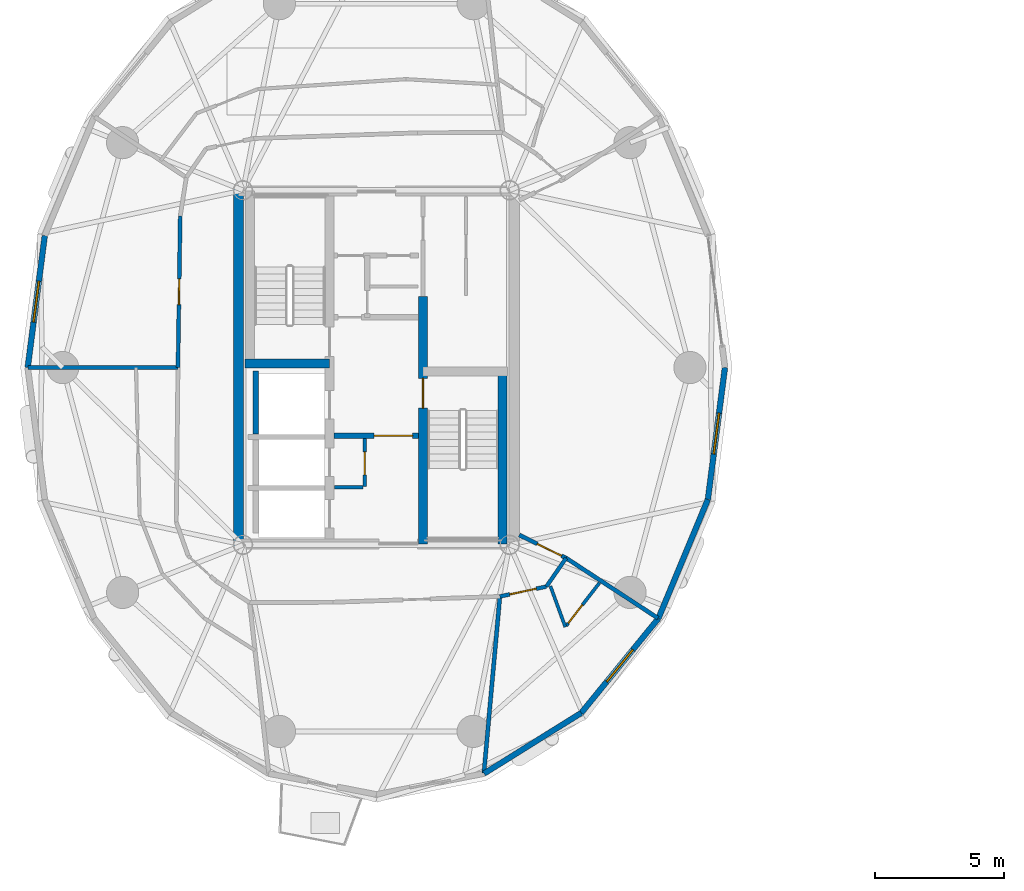
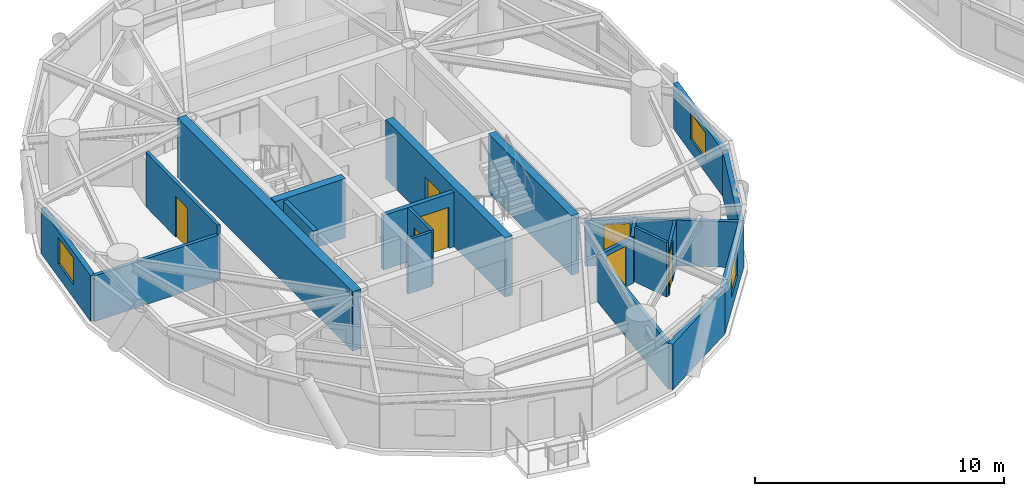
# One storey, part 8 of 16: 22 walls, 7 doors, 3 windows, 10 openings.
"""IFC4 building model written with IfcOpenShell, lengths in metres."""

from ifc_helpers import new_model, si_unit, direction, frame, frame_2d, origin, place, context, subcontext, project, spatial, rectangle, extrude, source, transform, mapped, material, layer, layer_set, type_object, element, fill, save


model = new_model("IFC4")

# Units and contexts
model_context = context("Model", 3, precision=1e-05, world=origin(), true_north=direction((0.0, 1.0)))
body_context = subcontext(model_context, "Body", "Model", "MODEL_VIEW")
ifc_project = project(units=[si_unit("LENGTHUNIT", "METRE"), si_unit("AREAUNIT", "SQUARE_METRE"), si_unit("VOLUMEUNIT", "CUBIC_METRE"), si_unit("PLANEANGLEUNIT", "RADIAN"), si_unit("MASSUNIT", "GRAM", prefix="KILO")], contexts=[model_context])

# Site, building, storey
site_placement = place(None, origin())
site = spatial("IfcSite", under=ifc_project, at=site_placement, CompositionType="ELEMENT")
building_placement = place(site_placement, origin())
building = spatial("IfcBuilding", under=site, at=building_placement, Name="Cununo Teusaquillo Station Towers", CompositionType="ELEMENT")
storey_placement = place(building_placement, frame((0.0, 0.0, 171.969970703125)))
storey = spatial("IfcBuildingStorey", under=building, at=storey_placement, Name="L54", CompositionType="ELEMENT", Elevation=171.969970703125)

# Wall
ifc_material_1 = material(Name="Concrete C50/60", Category="concrete")
ifc_layer_1 = layer(ifc_material_1, 0.199951171875)
ifc_layer_set_1 = layer_set([ifc_layer_1], Name="Concrete C50/60")
wall_type_1 = type_object("IfcWallType", Name="WL-CORE-200", PredefinedType="SHEAR", material=ifc_layer_set_1)
wall_1_placement = place(storey_placement, frame((11.820068359375, 21.919921875, 0.0), z_axis=(0.0, 0.0, 1.0), x_axis=(0.0, 1.0, 0.0)))
element("IfcWall", 1, at=wall_1_placement, inside=storey, type_object=wall_type_1, Name="L54 Tower A Firefighting Lift Shaft Rear Shear Wall", PredefinedType="SHEAR", context=body_context, shape_type="SweptSolid", body=[
    extrude(rectangle(XDim=2.440185546875, YDim=0.199951171875, at=frame_2d((1.22021484375, 0.0))), origin(), (0.0, 0.0, 1.0), 2.909912109375),
])

# Wall, opening, door
ifc_material_2 = material(Name="Concrete C50/60", Category="concrete")
ifc_layer_2 = layer(ifc_material_2, 0.35009765625)
ifc_layer_set_2 = layer_set([ifc_layer_2], Name="Concrete C50/60")
wall_type_2 = type_object("IfcWallType", Name="WL-CORE-350", PredefinedType="SHEAR", material=ifc_layer_set_2)
wall_2_placement = place(storey_placement, frame((18.31494140625, 17.64990234375, 0.0), z_axis=(0.0, 0.0, 1.0), x_axis=(0.0, 1.0, 0.0)))
wall_2 = element("IfcWall", 2, at=wall_2_placement, inside=storey, type_object=wall_type_2, Name="L54 Tower A Core Shear Wall IE", PredefinedType="SHEAR", context=body_context, shape_type="SweptSolid", body=[
    extrude(rectangle(XDim=9.60009765625, YDim=0.35009765625, at=frame_2d((4.800048828125, 0.0))), origin(), (0.0, 0.0, 1.0), 2.909912109375),
])
shared_shape_1 = source(origin(), body_context, "Body", "SweptSolid", [
    extrude(rectangle(XDim=1.14990234375, YDim=2.02001953125, at=frame_2d((0.574951171875, 1.010009765625))), frame((0.0, 0.18505859375, 0.0), z_axis=(0.0, -1.0, 0.0), x_axis=(1.0, 0.0, 0.0)), (0.0, 0.0, 1.0), 0.3701171875),
])
opening_1_placement = place(wall_2_placement, frame((5.280029296875, 0.0, 0.0)))
opening_1 = element("IfcOpeningElement", 3, at=opening_1_placement, cuts=wall_2, Name="Opening D-ST1", PredefinedType="OPENING", context=body_context, shape_type="MappedRepresentation", body=[
    mapped(shared_shape_1, transform((0.0, 0.0, 0.0), x_axis=(1.0, 0.0, 0.0), y_axis=(0.0, 1.0, 0.0), z_axis=(0.0, 0.0, 1.0), scale=1.0)),
])
ifc_material_3 = material(Name="Galvanised fire-rated hollow steel door assembly", Category="steel")
door_type_1 = type_object("IfcDoorType", Name="DR-STAIR-1150", OperationType="NOTDEFINED", PredefinedType="DOOR", material=ifc_material_3)
shared_shape_2 = source(origin(), body_context, "Body", "SweptSolid", [
    extrude(rectangle(XDim=1.14990234375, YDim=2.02001953125, at=frame_2d((0.574951171875, 1.010009765625))), frame((0.0, 0.02490234375, 0.0), z_axis=(0.0, -1.0, 0.0), x_axis=(1.0, 0.0, 0.0)), (0.0, 0.0, 1.0), 0.050048828125),
])
door_1_placement = place(opening_1_placement, origin())
door_1 = element("IfcDoor", 4, at=door_1_placement, inside=storey, type_object=door_type_1, Name="L54 Tower A Exit Stair 2 Fire Door", OperationType="SINGLE_SWING_LEFT", OverallHeight=2.02001953125, OverallWidth=1.14990234375, PredefinedType="DOOR", context=body_context, shape_type="MappedRepresentation", body=[
    mapped(shared_shape_2, transform((0.0, 0.0, 0.0), x_axis=(1.0, 0.0, 0.0), y_axis=(0.0, 1.0, 0.0), z_axis=(0.0, 0.0, 1.0), scale=1.0)),
])
fill(opening_1, door_1)

# Walls
wall_3_placement = place(storey_placement, frame((11.39990234375, 24.655029296875, 0.0), z_axis=(0.0, 0.0, 1.0), x_axis=(1.0, 0.0, 0.0)))
element("IfcWall", 5, at=wall_3_placement, inside=storey, type_object=wall_type_2, Name="L54 Tower A Core Shear Wall ST1S", PredefinedType="SHEAR", context=body_context, shape_type="SweptSolid", body=[
    extrude(rectangle(XDim=3.28515625, YDim=0.35009765625, at=frame_2d((1.642578125, 0.0))), origin(), (0.0, 0.0, 1.0), 2.909912109375),
])
wall_4_placement = place(storey_placement, frame((21.405029296875, 17.64990234375, 0.0), z_axis=(0.0, 0.0, 1.0), x_axis=(0.0, 1.0, 0.0)))
element("IfcWall", 6, at=wall_4_placement, inside=storey, type_object=wall_type_2, Name="L54 Tower A Core Shear Wall ST2E", PredefinedType="SHEAR", context=body_context, shape_type="SweptSolid", body=[
    extrude(rectangle(XDim=6.695068359375, YDim=0.35009765625, at=frame_2d((3.34765625, 0.0))), origin(), (0.0, 0.0, 1.0), 2.909912109375),
])
ifc_material_4 = material(Name="Concrete C50/60", Category="concrete")
ifc_layer_3 = layer(ifc_material_4, 0.39990234375)
ifc_layer_set_3 = layer_set([ifc_layer_3], Name="Concrete C50/60")
wall_type_3 = type_object("IfcWallType", Name="WL-CORE-400", PredefinedType="SHEAR", material=ifc_layer_set_3)
wall_5_placement = place(storey_placement, frame((11.14990234375, 17.449951171875, 0.0), z_axis=(0.0, 0.0, 1.0), x_axis=(0.0, 1.0, 0.0)))
element("IfcWall", 7, at=wall_5_placement, inside=storey, type_object=wall_type_3, Name="L54 Tower A Core Shear Wall W", PredefinedType="SHEAR", context=body_context, shape_type="SweptSolid", body=[
    extrude(rectangle(XDim=14.10009765625, YDim=0.39990234375, at=frame_2d((7.050048828125, 0.0))), origin(), (0.0, 0.0, 1.0), 2.909912109375),
])

# Wall, opening, window
ifc_material_5 = material(Name="Precast concrete C40/50", Category="concrete")
ifc_layer_4 = layer(ifc_material_5, 0.219970703125)
ifc_layer_set_4 = layer_set([ifc_layer_4], Name="Precast concrete C40/50")
wall_type_4 = type_object("IfcWallType", Name="WL-EXT-220", PredefinedType="SOLIDWALL", material=ifc_layer_set_4)
wall_6_placement = place(storey_placement, frame((2.968994140625, 24.5, 0.0), z_axis=(0.0, 0.0, 1.0), x_axis=(0.128287912609, 0.991736966881, 0.0)))
wall_6 = element("IfcWall", 8, at=wall_6_placement, inside=storey, type_object=wall_type_4, Name="L54 Tower A Exterior Facade Wall C09", PredefinedType="SOLIDWALL", context=body_context, shape_type="SweptSolid", body=[
    extrude(rectangle(XDim=5.1630859375, YDim=0.219970703125, at=frame_2d((2.58154296875, 0.0))), origin(), (0.0, 0.0, 1.0), 2.2451171875),
])
shared_shape_3 = source(origin(), body_context, "Body", "SweptSolid", [
    extrude(rectangle(XDim=1.60009765625, YDim=1.300048828125, at=frame_2d((0.800048828125, 0.64990234375))), frame((0.0, 0.119873046875, 0.0), z_axis=(0.0, -1.0, 0.0), x_axis=(1.0, 0.0, 0.0)), (0.0, 0.0, 1.0), 0.239990234375),
])
opening_2_placement = place(wall_6_placement, frame((1.781982421875, 0.0, 0.64990234375)))
opening_2 = element("IfcOpeningElement", 9, at=opening_2_placement, cuts=wall_6, Name="Opening WN-03", PredefinedType="OPENING", context=body_context, shape_type="MappedRepresentation", body=[
    mapped(shared_shape_3, transform((0.0, 0.0, 0.0), x_axis=(1.0, 0.0, 0.0), y_axis=(0.0, 1.0, 0.0), z_axis=(0.0, 0.0, 1.0), scale=1.0)),
])
ifc_material_6 = material(Name="Ceramic-fritted dark low-E double glazing", Category="glass")
window_type = type_object("IfcWindowType", Name="WIN-CORN-1600", PartitioningType="SINGLE_PANEL", PredefinedType="WINDOW", material=ifc_material_6)
shared_shape_4 = source(origin(), body_context, "Body", "SweptSolid", [
    extrude(rectangle(XDim=1.60009765625, YDim=1.300048828125, at=frame_2d((0.800048828125, 0.64990234375))), frame((0.0, 0.030029296875, 0.0), z_axis=(0.0, -1.0, 0.0), x_axis=(1.0, 0.0, 0.0)), (0.0, 0.0, 1.0), 0.06005859375),
])
window_1_placement = place(opening_2_placement, origin())
window_1 = element("IfcWindow", 10, at=window_1_placement, inside=storey, type_object=window_type, Name="L54 Tower A Facade Window C09", OverallHeight=1.300048828125, OverallWidth=1.60009765625, PartitioningType="SINGLE_PANEL", PredefinedType="WINDOW", context=body_context, shape_type="MappedRepresentation", body=[
    mapped(shared_shape_4, transform((0.0, 0.0, 0.0), x_axis=(1.0, 0.0, 0.0), y_axis=(0.0, 1.0, 0.0), z_axis=(0.0, 0.0, 1.0), scale=1.0)),
])
fill(opening_2, window_1)

# Wall
wall_7_placement = place(storey_placement, frame((24.453369140625, 11.094482421875, 0.0), z_axis=(0.0, 0.0, 1.0), x_axis=(-0.848399108042, -0.529357113368, 0.0)))
element("IfcWall", 11, at=wall_7_placement, inside=storey, type_object=wall_type_4, Name="L54 Tower A Exterior Facade Wall C16", PredefinedType="SOLIDWALL", context=body_context, shape_type="SweptSolid", body=[
    extrude(rectangle(XDim=4.446044921875, YDim=0.219970703125, at=frame_2d((2.22314453125, 0.0))), origin(), (0.0, 0.0, 1.0), 2.2451171875),
])

# Wall, opening, window
wall_8_placement = place(storey_placement, frame((27.44677734375, 14.760498046875, 0.0), z_axis=(0.0, 0.0, 1.0), x_axis=(-0.632470615287, -0.774584353572, 0.0)))
wall_8 = element("IfcWall", 12, at=wall_8_placement, inside=storey, type_object=wall_type_4, Name="L54 Tower A Exterior Facade Wall C17", PredefinedType="SOLIDWALL", context=body_context, shape_type="SweptSolid", body=[
    extrude(rectangle(XDim=4.73291015625, YDim=0.219970703125, at=frame_2d((2.366455078125, 0.0))), origin(), (0.0, 0.0, 1.0), 2.2451171875),
])
opening_3_placement = place(wall_8_placement, frame((1.56591796875, 0.0, 0.64990234375)))
opening_3 = element("IfcOpeningElement", 13, at=opening_3_placement, cuts=wall_8, Name="Opening WN-03", PredefinedType="OPENING", context=body_context, shape_type="MappedRepresentation", body=[
    mapped(shared_shape_3, transform((0.0, 0.0, 0.0), x_axis=(1.0, 0.0, 0.0), y_axis=(0.0, 1.0, 0.0), z_axis=(0.0, 0.0, 1.0), scale=1.0)),
])
window_2_placement = place(opening_3_placement, origin())
window_2 = element("IfcWindow", 14, at=window_2_placement, inside=storey, type_object=window_type, Name="L54 Tower A Facade Window C17", OverallHeight=1.300048828125, OverallWidth=1.60009765625, PartitioningType="SINGLE_PANEL", PredefinedType="WINDOW", context=body_context, shape_type="MappedRepresentation", body=[
    mapped(shared_shape_4, transform((0.0, 0.0, 0.0), x_axis=(1.0, 0.0, 0.0), y_axis=(0.0, 1.0, 0.0), z_axis=(0.0, 0.0, 1.0), scale=1.0)),
])
fill(opening_3, window_2)

# Wall
wall_9_placement = place(storey_placement, frame((29.36865234375, 19.379638671875, 0.0), z_axis=(0.0, 0.0, 1.0), x_axis=(-0.384144094086, -0.923273152961, 0.0)))
element("IfcWall", 15, at=wall_9_placement, inside=storey, type_object=wall_type_4, Name="L54 Tower A Exterior Facade Wall C18", PredefinedType="SOLIDWALL", context=body_context, shape_type="SweptSolid", body=[
    extrude(rectangle(XDim=5.0029296875, YDim=0.219970703125, at=frame_2d((2.50146484375, 0.0))), origin(), (0.0, 0.0, 1.0), 2.2451171875),
])

# Wall, opening, window
wall_10_placement = place(storey_placement, frame((30.031005859375, 24.5, 0.0), z_axis=(0.0, 0.0, 1.0), x_axis=(-0.128287912609, -0.991736966881, 0.0)))
wall_10 = element("IfcWall", 16, at=wall_10_placement, inside=storey, type_object=wall_type_4, Name="L54 Tower A Exterior Facade Wall C19", PredefinedType="SOLIDWALL", context=body_context, shape_type="SweptSolid", body=[
    extrude(rectangle(XDim=5.1630859375, YDim=0.219970703125, at=frame_2d((2.58154296875, 0.0))), origin(), (0.0, 0.0, 1.0), 2.2451171875),
])
opening_4_placement = place(wall_10_placement, frame((1.781982421875, 0.0, 0.64990234375)))
opening_4 = element("IfcOpeningElement", 17, at=opening_4_placement, cuts=wall_10, Name="Opening WN-03", PredefinedType="OPENING", context=body_context, shape_type="MappedRepresentation", body=[
    mapped(shared_shape_3, transform((0.0, 0.0, 0.0), x_axis=(1.0, 0.0, 0.0), y_axis=(0.0, 1.0, 0.0), z_axis=(0.0, 0.0, 1.0), scale=1.0)),
])
window_3_placement = place(opening_4_placement, origin())
window_3 = element("IfcWindow", 18, at=window_3_placement, inside=storey, type_object=window_type, Name="L54 Tower A Facade Window C19", OverallHeight=1.300048828125, OverallWidth=1.60009765625, PartitioningType="SINGLE_PANEL", PredefinedType="WINDOW", context=body_context, shape_type="MappedRepresentation", body=[
    mapped(shared_shape_4, transform((0.0, 0.0, 0.0), x_axis=(1.0, 0.0, 0.0), y_axis=(0.0, 1.0, 0.0), z_axis=(0.0, 0.0, 1.0), scale=1.0)),
])
fill(opening_4, window_3)

# Wall, opening, door
ifc_material_7 = material(Name="Fire-rated gypsum plasterboard partition assembly", Category="gypsum")
ifc_layer_5 = layer(ifc_material_7, 0.125)
ifc_layer_set_5 = layer_set([ifc_layer_5], Name="Fire-rated gypsum plasterboard partition assembly")
wall_type_5 = type_object("IfcWallType", Name="WL-PART-125", PredefinedType="PARTITIONING", material=ifc_layer_set_5)
wall_11_placement = place(storey_placement, frame((16.050048828125, 19.8798828125, 0.0), z_axis=(0.0, 0.0, 1.0), x_axis=(0.0, 1.0, 0.0)))
wall_11 = element("IfcWall", 19, at=wall_11_placement, inside=storey, type_object=wall_type_5, Name="L54 Tower A North-West Lobby Store East Wall", PredefinedType="PARTITIONING", context=body_context, shape_type="SweptSolid", body=[
    extrude(rectangle(XDim=1.8701171875, YDim=0.125, at=frame_2d((0.93505859375, 0.0))), origin(), (0.0, 0.0, 1.0), 2.675048828125),
])
shared_shape_5 = source(origin(), body_context, "Body", "SweptSolid", [
    extrude(rectangle(XDim=0.89990234375, YDim=2.0048828125, at=frame_2d((0.449951171875, 1.00244140625))), frame((0.0, 0.072509765625, 0.0), z_axis=(0.0, -1.0, 0.0), x_axis=(1.0, 0.0, 0.0)), (0.0, 0.0, 1.0), 0.14501953125),
])
opening_5_placement = place(wall_11_placement, frame((0.449951171875, 0.0, 0.0)))
opening_5 = element("IfcOpeningElement", 20, at=opening_5_placement, cuts=wall_11, Name="Opening D-SR1", PredefinedType="OPENING", context=body_context, shape_type="MappedRepresentation", body=[
    mapped(shared_shape_5, transform((0.0, 0.0, 0.0), x_axis=(1.0, 0.0, 0.0), y_axis=(0.0, 1.0, 0.0), z_axis=(0.0, 0.0, 1.0), scale=1.0)),
])
ifc_material_8 = material(Name="Galvanised fire-rated hollow steel door assembly", Category="steel")
door_type_2 = type_object("IfcDoorType", Name="DR-STORE-900", OperationType="NOTDEFINED", PredefinedType="DOOR", material=ifc_material_8)
shared_shape_6 = source(origin(), body_context, "Body", "SweptSolid", [
    extrude(rectangle(XDim=0.89990234375, YDim=2.0048828125, at=frame_2d((0.449951171875, 1.00244140625))), frame((0.0, 0.02490234375, 0.0), z_axis=(0.0, -1.0, 0.0), x_axis=(1.0, 0.0, 0.0)), (0.0, 0.0, 1.0), 0.050048828125),
])
door_2_placement = place(opening_5_placement, origin())
door_2 = element("IfcDoor", 21, at=door_2_placement, inside=storey, type_object=door_type_2, Name="L54 Tower A South Lobby Data Store Door", OperationType="SINGLE_SWING_RIGHT", OverallHeight=2.0048828125, OverallWidth=0.89990234375, PredefinedType="DOOR", context=body_context, shape_type="MappedRepresentation", body=[
    mapped(shared_shape_6, transform((0.0, 0.0, 0.0), x_axis=(1.0, 0.0, 0.0), y_axis=(0.0, 1.0, 0.0), z_axis=(0.0, 0.0, 1.0), scale=1.0)),
])
fill(opening_5, door_2)

# Walls
wall_12_placement = place(storey_placement, frame((14.8798828125, 19.85009765625, 0.0), z_axis=(0.0, 0.0, 1.0), x_axis=(1.0, 0.0, 0.0)))
element("IfcWall", 22, at=wall_12_placement, inside=storey, type_object=wall_type_5, Name="L54 Tower A North-West Lobby Store South Wall", PredefinedType="PARTITIONING", context=body_context, shape_type="SweptSolid", body=[
    extrude(rectangle(XDim=1.10009765625, YDim=0.125, at=frame_2d((0.550048828125, 0.0))), origin(), (0.0, 0.0, 1.0), 2.675048828125),
])
wall_13_placement = place(storey_placement, frame((23.256103515625, 16.018310546875, 0.0), z_axis=(0.0, 0.0, 1.0), x_axis=(0.342788033774, -0.939412776101, 0.0)))
element("IfcWall", 23, at=wall_13_placement, inside=storey, type_object=wall_type_5, Name="L54 Tower A S06 En-suite Side Wall", PredefinedType="PARTITIONING", context=body_context, shape_type="SweptSolid", body=[
    extrude(rectangle(XDim=1.68798828125, YDim=0.125, at=frame_2d((0.843994140625, 0.0))), origin(), (0.0, 0.0, 1.0), 2.675048828125),
])

# Wall, opening, door
wall_14_placement = place(storey_placement, frame((23.875, 14.484375, 0.0), z_axis=(0.0, 0.0, 1.0), x_axis=(0.61297586552, 0.790101631621, 0.0)))
wall_14 = element("IfcWall", 24, at=wall_14_placement, inside=storey, type_object=wall_type_5, Name="L54 Tower A S06 En-suite Back Wall", PredefinedType="PARTITIONING", context=body_context, shape_type="SweptSolid", body=[
    extrude(rectangle(XDim=2.103271484375, YDim=0.125, at=frame_2d((1.0517578125, 0.0))), origin(), (0.0, 0.0, 1.0), 2.2451171875),
])
opening_6_placement = place(wall_14_placement, frame((0.1201171875, 0.0, 0.0)))
opening_6 = element("IfcOpeningElement", 25, at=opening_6_placement, cuts=wall_14, Name="Opening D-IN1", PredefinedType="OPENING", context=body_context, shape_type="MappedRepresentation", body=[
    mapped(shared_shape_5, transform((0.0, 0.0, 0.0), x_axis=(1.0, 0.0, 0.0), y_axis=(0.0, 1.0, 0.0), z_axis=(0.0, 0.0, 1.0), scale=1.0)),
])
ifc_material_9 = material(Name="Acoustic solid-core hardwood leaf assembly", Category="wood")
door_type_3 = type_object("IfcDoorType", Name="DR-INT-900", OperationType="NOTDEFINED", PredefinedType="DOOR", material=ifc_material_9)
door_3_placement = place(opening_6_placement, origin())
door_3 = element("IfcDoor", 26, at=door_3_placement, inside=storey, type_object=door_type_3, Name="L54 Tower A S06 En-suite Bathroom Door", OperationType="SINGLE_SWING_RIGHT", OverallHeight=2.0048828125, OverallWidth=0.89990234375, PredefinedType="DOOR", context=body_context, shape_type="MappedRepresentation", body=[
    mapped(shared_shape_6, transform((0.0, 0.0, 0.0), x_axis=(1.0, 0.0, 0.0), y_axis=(0.0, 1.0, 0.0), z_axis=(0.0, 0.0, 1.0), scale=1.0)),
])
fill(opening_6, door_3)

ifc_material_10 = material(Name="Fire-rated gypsum plasterboard partition assembly", Category="gypsum")
ifc_layer_6 = layer(ifc_material_10, 0.14990234375)
ifc_layer_set_6 = layer_set([ifc_layer_6], Name="Fire-rated gypsum plasterboard partition assembly")
wall_type_6 = type_object("IfcWallType", Name="WL-PART-150", PredefinedType="PARTITIONING", material=ifc_layer_set_6)
wall_15_placement = place(storey_placement, frame((8.888427734375, 30.38134765625, 0.0), z_axis=(0.0, 0.0, 1.0), x_axis=(-0.015025285815, -0.999887114021, 0.0)))
wall_15 = element("IfcWall", 27, at=wall_15_placement, inside=storey, type_object=wall_type_6, Name="L54 Tower A Corridor Ring Wall C09", PredefinedType="PARTITIONING", context=body_context, shape_type="SweptSolid", body=[
    extrude(rectangle(XDim=5.882080078125, YDim=0.14990234375, at=frame_2d((2.94091796875, 0.0))), origin(), (0.0, 0.0, 1.0), 2.675048828125),
])
shared_shape_7 = source(origin(), body_context, "Body", "SweptSolid", [
    extrude(rectangle(XDim=1.0, YDim=2.014892578125, at=frame_2d((0.5, 1.00732421875))), frame((0.0, 0.0849609375, 0.0), z_axis=(0.0, -1.0, 0.0), x_axis=(1.0, 0.0, 0.0)), (0.0, 0.0, 1.0), 0.169921875),
])
opening_7_placement = place(wall_15_placement, frame((2.44091796875, 0.0, 0.0)))
opening_7 = element("IfcOpeningElement", 28, at=opening_7_placement, cuts=wall_15, Name="Opening D-AC1", PredefinedType="OPENING", context=body_context, shape_type="MappedRepresentation", body=[
    mapped(shared_shape_7, transform((0.0, 0.0, 0.0), x_axis=(1.0, 0.0, 0.0), y_axis=(0.0, 1.0, 0.0), z_axis=(0.0, 0.0, 1.0), scale=1.0)),
])
ifc_material_11 = material(Name="Acoustic solid-core hardwood leaf assembly", Category="wood")
door_type_4 = type_object("IfcDoorType", Name="DR-ACC-1000", OperationType="NOTDEFINED", PredefinedType="DOOR", material=ifc_material_11)
shared_shape_8 = source(origin(), body_context, "Body", "SweptSolid", [
    extrude(rectangle(XDim=1.0, YDim=2.014892578125, at=frame_2d((0.5, 1.00732421875))), frame((0.0, 0.02490234375, 0.0), z_axis=(0.0, -1.0, 0.0), x_axis=(1.0, 0.0, 0.0)), (0.0, 0.0, 1.0), 0.050048828125),
])
door_4_placement = place(opening_7_placement, origin())
door_4 = element("IfcDoor", 29, at=door_4_placement, inside=storey, type_object=door_type_4, Name="L54 Tower A Public Accessible Restroom WC Entrance Door", OperationType="SINGLE_SWING_LEFT", OverallHeight=2.014892578125, OverallWidth=1.0, PredefinedType="DOOR", context=body_context, shape_type="MappedRepresentation", body=[
    mapped(shared_shape_8, transform((0.0, 0.0, 0.0), x_axis=(1.0, 0.0, 0.0), y_axis=(0.0, 1.0, 0.0), z_axis=(0.0, 0.0, 1.0), scale=1.0)),
])
fill(opening_7, door_4)

wall_16_placement = place(storey_placement, frame((21.29541015625, 15.614990234375, 0.0), z_axis=(0.0, 0.0, 1.0), x_axis=(0.978043957244, 0.20839869889, 0.0)))
wall_16 = element("IfcWall", 30, at=wall_16_placement, inside=storey, type_object=wall_type_6, Name="L54 Tower A Corridor Ring Wall C16", PredefinedType="PARTITIONING", context=body_context, shape_type="SweptSolid", body=[
    extrude(rectangle(XDim=1.843994140625, YDim=0.14990234375, at=frame_2d((0.921875, 0.0))), origin(), (0.0, 0.0, 1.0), 2.2451171875),
])
shared_shape_9 = source(origin(), body_context, "Body", "SweptSolid", [
    extrude(rectangle(XDim=1.050048828125, YDim=2.014892578125, at=frame_2d((0.52490234375, 1.00732421875))), frame((0.0, 0.0849609375, 0.0), z_axis=(0.0, -1.0, 0.0), x_axis=(1.0, 0.0, 0.0)), (0.0, 0.0, 1.0), 0.169921875),
])
opening_8_placement = place(wall_16_placement, frame((0.39697265625, 0.0, 0.0)))
opening_8 = element("IfcOpeningElement", 31, at=opening_8_placement, cuts=wall_16, Name="Opening D-SU1", PredefinedType="OPENING", context=body_context, shape_type="MappedRepresentation", body=[
    mapped(shared_shape_9, transform((0.0, 0.0, 0.0), x_axis=(1.0, 0.0, 0.0), y_axis=(0.0, 1.0, 0.0), z_axis=(0.0, 0.0, 1.0), scale=1.0)),
])
ifc_material_12 = material(Name="Acoustic solid-core hardwood leaf assembly", Category="wood")
door_type_5 = type_object("IfcDoorType", Name="DR-SUITE-1050", OperationType="NOTDEFINED", PredefinedType="DOOR", material=ifc_material_12)
shared_shape_10 = source(origin(), body_context, "Body", "SweptSolid", [
    extrude(rectangle(XDim=1.050048828125, YDim=2.014892578125, at=frame_2d((0.52490234375, 1.00732421875))), frame((0.0, 0.02490234375, 0.0), z_axis=(0.0, -1.0, 0.0), x_axis=(1.0, 0.0, 0.0)), (0.0, 0.0, 1.0), 0.050048828125),
])
door_5_placement = place(opening_8_placement, origin())
door_5 = element("IfcDoor", 32, at=door_5_placement, inside=storey, type_object=door_type_5, Name="L54 Tower A Diplomatic Crest Hotel Suite Entrance Door", OperationType="SINGLE_SWING_LEFT", OverallHeight=2.014892578125, OverallWidth=1.050048828125, PredefinedType="DOOR", context=body_context, shape_type="MappedRepresentation", body=[
    mapped(shared_shape_10, transform((0.0, 0.0, 0.0), x_axis=(1.0, 0.0, 0.0), y_axis=(0.0, 1.0, 0.0), z_axis=(0.0, 0.0, 1.0), scale=1.0)),
])
fill(opening_8, door_5)

# Walls
wall_17_placement = place(storey_placement, frame((23.098876953125, 15.999267578125, 0.0), z_axis=(0.0, 0.0, 1.0), x_axis=(0.570001625459, 0.821643564433, 0.0)))
element("IfcWall", 33, at=wall_17_placement, inside=storey, type_object=wall_type_6, Name="L54 Tower A Corridor Ring Wall C17", PredefinedType="PARTITIONING", context=body_context, shape_type="SweptSolid", body=[
    extrude(rectangle(XDim=1.3466796875, YDim=0.14990234375, at=frame_2d((0.67333984375, 0.0))), origin(), (0.0, 0.0, 1.0), 2.2451171875),
])
ifc_material_13 = material(Name="Fire-rated gypsum plasterboard partition assembly", Category="gypsum")
ifc_layer_7 = layer(ifc_material_13, 0.159912109375)
ifc_layer_set_7 = layer_set([ifc_layer_7], Name="Fire-rated gypsum plasterboard partition assembly")
wall_type_7 = type_object("IfcWallType", Name="WL-PART-160", PredefinedType="PARTITIONING", material=ifc_layer_set_7)
wall_18_placement = place(storey_placement, frame((8.800048828125, 24.5, 0.0), z_axis=(0.0, 0.0, 1.0), x_axis=(-1.0, 0.0, 0.0)))
element("IfcWall", 34, at=wall_18_placement, inside=storey, type_object=wall_type_7, Name="L54 Tower A Radial Suite Partition R04", PredefinedType="PARTITIONING", context=body_context, shape_type="SweptSolid", body=[
    extrude(rectangle(XDim=5.81103515625, YDim=0.159912109375, at=frame_2d((2.905517578125, 0.0))), origin(), (0.0, 0.0, 1.0), 2.2451171875),
])
wall_19_placement = place(storey_placement, frame((21.29541015625, 15.614990234375, 0.0), z_axis=(0.0, 0.0, 1.0), x_axis=(-0.090129576558, -0.995930047458, 0.0)))
element("IfcWall", 35, at=wall_19_placement, inside=storey, type_object=wall_type_7, Name="L54 Tower A Radial Suite Partition R06", PredefinedType="PARTITIONING", context=body_context, shape_type="SweptSolid", body=[
    extrude(rectangle(XDim=6.883056640625, YDim=0.159912109375, at=frame_2d((3.44140625, 0.0))), origin(), (0.0, 0.0, 1.0), 2.2451171875),
])
wall_20_placement = place(storey_placement, frame((23.866455078125, 17.105712890625, 0.0), z_axis=(0.0, 0.0, 1.0), x_axis=(0.836641352238, -0.547751081902, 0.0)))
element("IfcWall", 36, at=wall_20_placement, inside=storey, type_object=wall_type_7, Name="L54 Tower A Radial Suite Partition R07", PredefinedType="PARTITIONING", context=body_context, shape_type="SweptSolid", body=[
    extrude(rectangle(XDim=4.26025390625, YDim=0.159912109375, at=frame_2d((2.130126953125, 0.0))), origin(), (0.0, 0.0, 1.0), 2.2451171875),
])

# Wall, opening, door
wall_21_placement = place(storey_placement, frame((22.050048828125, 18.0, 0.0), z_axis=(0.0, 0.0, 1.0), x_axis=(0.897159648657, -0.441706423795, 0.0)))
wall_21 = element("IfcWall", 37, at=wall_21_placement, inside=storey, type_object=wall_type_7, Name="L54 Tower A East Salon Corridor Portal Wall SE", PredefinedType="PARTITIONING", context=body_context, shape_type="SweptSolid", body=[
    extrude(rectangle(XDim=2.024658203125, YDim=0.159912109375, at=frame_2d((1.01220703125, 0.0))), origin(), (0.0, 0.0, 1.0), 2.2451171875),
])
shared_shape_11 = source(origin(), body_context, "Body", "SweptSolid", [
    extrude(rectangle(XDim=1.050048828125, YDim=2.014892578125, at=frame_2d((0.52490234375, 1.00732421875))), frame((0.0, 0.08984375, 0.0), z_axis=(0.0, -1.0, 0.0), x_axis=(1.0, 0.0, 0.0)), (0.0, 0.0, 1.0), 0.179931640625),
])
opening_9_placement = place(wall_21_placement, frame((0.774658203125, 0.0, 0.0)))
opening_9 = element("IfcOpeningElement", 38, at=opening_9_placement, cuts=wall_21, Name="Opening D-SU1", PredefinedType="OPENING", context=body_context, shape_type="MappedRepresentation", body=[
    mapped(shared_shape_11, transform((0.0, 0.0, 0.0), x_axis=(1.0, 0.0, 0.0), y_axis=(0.0, 1.0, 0.0), z_axis=(0.0, 0.0, 1.0), scale=1.0)),
])
door_6_placement = place(opening_9_placement, origin())
door_6 = element("IfcDoor", 39, at=door_6_placement, inside=storey, type_object=door_type_5, Name="L54 Tower A East Panorama Sky Salon Door SE", OperationType="SINGLE_SWING_RIGHT", OverallHeight=2.014892578125, OverallWidth=1.050048828125, PredefinedType="DOOR", context=body_context, shape_type="MappedRepresentation", body=[
    mapped(shared_shape_10, transform((0.0, 0.0, 0.0), x_axis=(1.0, 0.0, 0.0), y_axis=(0.0, 1.0, 0.0), z_axis=(0.0, 0.0, 1.0), scale=1.0)),
])
fill(opening_9, door_6)

ifc_material_14 = material(Name="Fire-rated gypsum plasterboard partition assembly", Category="gypsum")
ifc_layer_8 = layer(ifc_material_14, 0.199951171875)
ifc_layer_set_8 = layer_set([ifc_layer_8], Name="Fire-rated gypsum plasterboard partition assembly")
wall_type_8 = type_object("IfcWallType", Name="WL-PART-200", PredefinedType="PARTITIONING", material=ifc_layer_set_8)
wall_22_placement = place(storey_placement, frame((14.860107421875, 21.85009765625, 0.0), z_axis=(0.0, 0.0, 1.0), x_axis=(1.0, 0.0, 0.0)))
wall_22 = element("IfcWall", 40, at=wall_22_placement, inside=storey, type_object=wall_type_8, Name="L54 Tower A Firefighting Lift Lobby South Fire Wall", PredefinedType="PARTITIONING", context=body_context, shape_type="SweptSolid", body=[
    extrude(rectangle(XDim=3.27978515625, YDim=0.199951171875, at=frame_2d((1.639892578125, 0.0))), origin(), (0.0, 0.0, 1.0), 2.675048828125),
])
shared_shape_12 = source(origin(), body_context, "Body", "SweptSolid", [
    extrude(rectangle(XDim=1.5, YDim=2.02001953125, at=frame_2d((0.75, 1.010009765625))), frame((0.0, 0.10986328125, 0.0), z_axis=(0.0, -1.0, 0.0), x_axis=(1.0, 0.0, 0.0)), (0.0, 0.0, 1.0), 0.219970703125),
])
opening_10_placement = place(wall_22_placement, frame((1.550048828125, 0.0, 0.0)))
opening_10 = element("IfcOpeningElement", 41, at=opening_10_placement, cuts=wall_22, Name="Opening D-LB1", PredefinedType="OPENING", context=body_context, shape_type="MappedRepresentation", body=[
    mapped(shared_shape_12, transform((0.0, 0.0, 0.0), x_axis=(1.0, 0.0, 0.0), y_axis=(0.0, 1.0, 0.0), z_axis=(0.0, 0.0, 1.0), scale=1.0)),
])
ifc_material_15 = material(Name="Galvanised fire-rated hollow steel door assembly", Category="steel")
door_type_6 = type_object("IfcDoorType", Name="DR-LOBBY-1500", OperationType="DOUBLE_DOOR_SINGLE_SWING", PredefinedType="DOOR", material=ifc_material_15)
shared_shape_13 = source(origin(), body_context, "Body", "SweptSolid", [
    extrude(rectangle(XDim=1.5, YDim=2.02001953125, at=frame_2d((0.75, 1.010009765625))), frame((0.0, 0.02490234375, 0.0), z_axis=(0.0, -1.0, 0.0), x_axis=(1.0, 0.0, 0.0)), (0.0, 0.0, 1.0), 0.050048828125),
])
door_7_placement = place(opening_10_placement, origin())
door_7 = element("IfcDoor", 42, at=door_7_placement, inside=storey, type_object=door_type_6, Name="L54 Tower A Firefighting Lift Lobby South Fire Door", OperationType="DOUBLE_DOOR_SINGLE_SWING", OverallHeight=2.02001953125, OverallWidth=1.5, PredefinedType="DOOR", context=body_context, shape_type="MappedRepresentation", body=[
    mapped(shared_shape_13, transform((0.0, 0.0, 0.0), x_axis=(1.0, 0.0, 0.0), y_axis=(0.0, 1.0, 0.0), z_axis=(0.0, 0.0, 1.0), scale=1.0)),
])
fill(opening_10, door_7)

save(model, "model.ifc")
